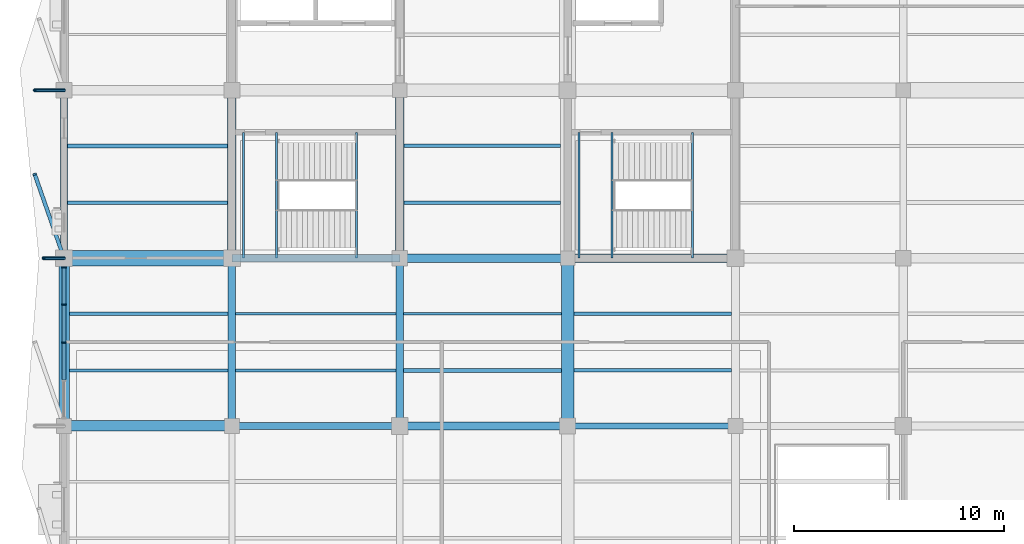
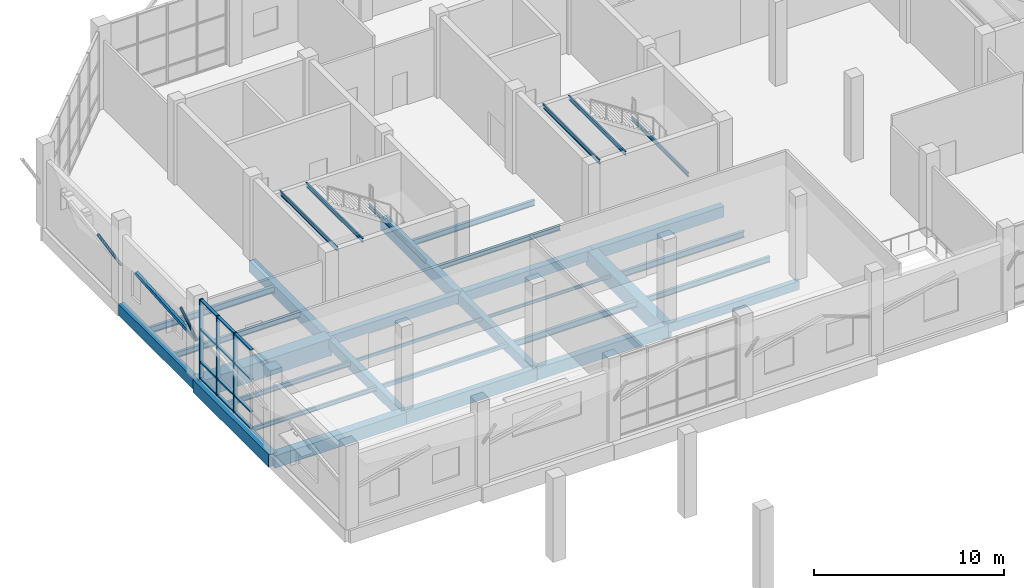
# One storey, part 33 of 122: 33 beams, 18 members, 1 element without a shape of its own.
"""IFC4 building model written with IfcOpenShell, lengths in metres."""

import ifcopenshell
import ifcopenshell.guid

model = None  # the IFC model being written
_history = None  # IfcOwnerHistory: only IFC2X3 demands one
_inside = {}  # id of a spatial element -> (the spatial element, [elements in it])
_under = {}  # id of a project, library or spatial element -> (it, [spatial elements below it])
_declared = {}  # id of a project -> (the project, [libraries it declares])
_typed = {}  # id of a type object -> (the type object, [elements of that type])
_made_of = {}  # id of a material, layer set ... -> (it, [elements and type objects made of it])


def new_model(schema):
    """Start an empty IFC model of exactly this schema.

    Asked for "IFC4X3", IfcOpenShell would pick the latest addendum, in which some entities
    have other attributes; the version numbers below select the first issue.
    IFC2X3 requires an IfcOwnerHistory on every rooted entity: one is made here for all.
    """
    global model, _history
    if schema == "IFC4X3":
        model = ifcopenshell.file(schema_version=(4, 3, 0, 0))
    else:
        model = ifcopenshell.file(schema=schema)
    _inside.clear()
    _under.clear()
    _declared.clear()
    _typed.clear()
    _made_of.clear()
    _history = None
    if model.schema == "IFC2X3":
        org = make("IfcOrganization", Name="unknown")
        user = make(
            "IfcPersonAndOrganization",
            ThePerson=make("IfcPerson", FamilyName="unknown"),
            TheOrganization=org,
        )
        app = make(
            "IfcApplication",
            ApplicationDeveloper=org,
            Version="unknown",
            ApplicationFullName="unknown",
            ApplicationIdentifier="unknown",
        )
        _history = make(
            "IfcOwnerHistory",
            OwningUser=user,
            OwningApplication=app,
            ChangeAction="ADDED",
            CreationDate=0,
        )
    return model


def make(cls, **values):
    """One entity of the class cls with the attributes given. An attribute that is None is left unset."""
    return model.create_entity(
        cls, **{name: value for name, value in values.items() if value is not None}
    )


def rooted(cls, **values):
    """An entity with a GlobalId (a new one), such as an element, a storey or a relation."""
    return make(cls, GlobalId=ifcopenshell.guid.new(), OwnerHistory=_history, **values)


def si_unit(unit_type, name, prefix=None):
    """IfcSIUnit, for example si_unit("LENGTHUNIT", "METRE", prefix="MILLI")."""
    return make("IfcSIUnit", UnitType=unit_type, Prefix=prefix, Name=name)


def assignment(units):
    """IfcUnitAssignment: the units of a project."""
    return None if units is None else make("IfcUnitAssignment", Units=units)


def point(xyz):
    """IfcCartesianPoint."""
    return None if xyz is None else make("IfcCartesianPoint", Coordinates=xyz)


def direction(xyz):
    """IfcDirection."""
    return None if xyz is None else make("IfcDirection", DirectionRatios=xyz)


def frame(location, z_axis=None, x_axis=None):
    """IfcAxis2Placement3D, a coordinate frame: its origin and axes. An axis left out is left unset."""
    return make(
        "IfcAxis2Placement3D",
        Location=point(location),
        Axis=direction(z_axis),
        RefDirection=direction(x_axis),
    )


def frame_2d(location, x_axis=None):
    """IfcAxis2Placement2D, a coordinate frame in the plane: its origin and x axis."""
    return make(
        "IfcAxis2Placement2D", Location=point(location), RefDirection=direction(x_axis)
    )


def origin():
    """The frame at (0, 0, 0) with its axes left unset."""
    return frame((0.0, 0.0, 0.0))


def origin_2d():
    """The frame at (0, 0) in the plane with its x axis left unset."""
    return frame_2d((0.0, 0.0))


def place(relative_to, where):
    """IfcLocalPlacement: puts the frame where relative to a parent placement (None: the world)."""
    return make(
        "IfcLocalPlacement", PlacementRelTo=relative_to, RelativePlacement=where
    )


def context(
    kind, dimensions, precision=None, world=None, true_north=None, identifier=None
):
    """IfcGeometricRepresentationContext, for example the 3D "Model" context."""
    return make(
        "IfcGeometricRepresentationContext",
        ContextIdentifier=identifier,
        ContextType=kind,
        CoordinateSpaceDimension=dimensions,
        Precision=precision,
        WorldCoordinateSystem=world,
        TrueNorth=true_north,
    )


def subcontext(parent, identifier, kind, view, scale=None):
    """IfcGeometricRepresentationSubContext, for example "Body" below "Model"."""
    return make(
        "IfcGeometricRepresentationSubContext",
        ContextIdentifier=identifier,
        ContextType=kind,
        ParentContext=parent,
        TargetScale=scale,
        TargetView=view,
    )


def project(units=None, contexts=None):
    """IfcProject with its units and contexts."""
    return rooted(
        "IfcProject",
        Name="project",
        RepresentationContexts=contexts,
        UnitsInContext=assignment(units),
    )


def spatial(cls, under=None, at=None, **own):
    """A site, building, storey or space (cls), placed at a placement, below another one or the project."""
    s = rooted(cls, ObjectPlacement=at, **own)
    if under is not None:
        _under.setdefault(under.id(), (under, []))[1].append(s)
    return s


def profile(cls, at=None, kind="AREA", **sizes):
    """A parametric profile (cls). Its sizes go by their IFC names, for example OverallWidth=200.0."""
    return make(cls, ProfileType=kind, Position=at, **sizes)


def rectangle(**sizes):
    """IfcRectangleProfileDef."""
    return profile("IfcRectangleProfileDef", **sizes)


def hollow_rectangle(**sizes):
    """IfcRectangleHollowProfileDef."""
    return profile("IfcRectangleHollowProfileDef", **sizes)


def hollow_circle(**sizes):
    """IfcCircleHollowProfileDef."""
    return profile("IfcCircleHollowProfileDef", **sizes)


def i_section(**sizes):
    """IfcIShapeProfileDef."""
    return profile("IfcIShapeProfileDef", **sizes)


def extrude(swept, where, along, depth):
    """IfcExtrudedAreaSolid: the profile swept, set in the frame where, extruded along a direction by depth."""
    return make(
        "IfcExtrudedAreaSolid",
        SweptArea=swept,
        Position=where,
        ExtrudedDirection=direction(along),
        Depth=depth,
    )


def shape(context_of_items, identifier, shape_type, items):
    """IfcShapeRepresentation: the items that make up one representation, for example the "Body"."""
    return make(
        "IfcShapeRepresentation",
        ContextOfItems=context_of_items,
        RepresentationIdentifier=identifier,
        RepresentationType=shape_type,
        Items=items,
    )


def material(Name=None, Category=None):
    """IfcMaterial."""
    return make("IfcMaterial", Name=Name, Category=Category)


def material_profile(
    of_material, cross_section, Name=None, Category=None, Priority=None
):
    """IfcMaterialProfile: a cross section and its material."""
    return make(
        "IfcMaterialProfile",
        Name=Name,
        Material=of_material,
        Profile=cross_section,
        Priority=Priority,
        Category=Category,
    )


def profile_set(profiles, Name=None, composite=None):
    """IfcMaterialProfileSet."""
    return make(
        "IfcMaterialProfileSet",
        Name=Name,
        MaterialProfiles=profiles,
        CompositeProfile=composite,
    )


def made_of(thing, what):
    """Note that an element or type object is made of a material, layer set ...; save() writes the relation."""
    if what is not None:
        _made_of.setdefault(what.id(), (what, []))[1].append(thing)
    return thing


def type_object(cls, material=None, **own):
    """A type object (cls), such as IfcWallType, which elements share."""
    return made_of(rooted(cls, **own), material)


def element(
    cls,
    number,
    at=None,
    inside=None,
    cuts=None,
    type_object=None,
    material=None,
    context=None,
    identifier="Body",
    shape_type=None,
    held_by="IfcProductDefinitionShape",
    body=None,
    shapes=None,
    **own,
):
    """One element of the class cls, such as IfcWall. Its Tag is "e" and its number.

    at: its placement. inside: the storey or other place that contains it. cuts: it is an
    opening in that element (IfcRelVoidsElement). A single representation is given by context,
    identifier, shape_type and body (its items); several are given by shapes. held_by: the class
    of the entity that holds the representations. save() writes the other relations.
    """
    e = rooted(cls, Tag="e%d" % number, ObjectPlacement=at, **own)
    if body is not None:
        shapes = [shape(context, identifier, shape_type, body)]
    if shapes is not None:
        e.Representation = make(held_by, Representations=shapes)
    if inside is not None:
        _inside.setdefault(inside.id(), (inside, []))[1].append(e)
    if cuts is not None:
        rooted(
            "IfcRelVoidsElement", RelatingBuildingElement=cuts, RelatedOpeningElement=e
        )
    if type_object is not None:
        _typed.setdefault(type_object.id(), (type_object, []))[1].append(e)
    return made_of(e, material)


def aggregate(whole, parts):
    """IfcRelAggregates: a whole, such as a stair, and the parts it consists of."""
    return rooted("IfcRelAggregates", RelatingObject=whole, RelatedObjects=parts)


def save(model, path):
    """Write the relations noted so far, then the file.

    IfcRelAggregates (storeys below a building ...), IfcRelContainedInSpatialStructure (elements
    in a storey), IfcRelDefinesByType, IfcRelAssociatesMaterial and IfcRelDeclares: one each for
    every whole, place, type object, material and project.
    """
    for whole, parts in _under.values():
        aggregate(whole, parts)
    for where, things in _inside.values():
        rooted(
            "IfcRelContainedInSpatialStructure",
            RelatedElements=things,
            RelatingStructure=where,
        )
    for kind, things in _typed.values():
        rooted("IfcRelDefinesByType", RelatedObjects=things, RelatingType=kind)
    for what, things in _made_of.values():
        rooted("IfcRelAssociatesMaterial", RelatedObjects=things, RelatingMaterial=what)
    for by, libraries in _declared.values():
        rooted("IfcRelDeclares", RelatingContext=by, RelatedDefinitions=libraries)
    model.write(path)


model = new_model("IFC4")

# Units and contexts
model_context = context("Model", 3, precision=1e-05, world=origin(), true_north=direction((0.0, 1.0)))
body_context = subcontext(model_context, "Body", "Model", "MODEL_VIEW")
ifc_project = project(units=[si_unit("LENGTHUNIT", "METRE"), si_unit("AREAUNIT", "SQUARE_METRE"), si_unit("VOLUMEUNIT", "CUBIC_METRE"), si_unit("PLANEANGLEUNIT", "RADIAN"), si_unit("MASSUNIT", "GRAM", prefix="KILO")], contexts=[model_context])

# Site, building, storey
site_placement = place(None, origin())
site = spatial("IfcSite", under=ifc_project, at=site_placement, CompositionType="ELEMENT")
building_placement = place(site_placement, origin())
building = spatial("IfcBuilding", under=site, at=building_placement, Name="Tenunan Teduh Sports Hall", CompositionType="ELEMENT")
storey_placement = place(building_placement, frame((0.0, 0.0, 5.39990234375)))
storey = spatial("IfcBuildingStorey", under=building, at=storey_placement, Name="L01", CompositionType="ELEMENT", Elevation=5.39990234375)

# Beams
ifc_material_1 = material(Name="Concrete C40/50", Category="concrete")
ifc_material_profile_1 = material_profile(ifc_material_1, rectangle(XDim=0.300048828125, YDim=0.550048828125, at=origin_2d()), Name="RCB 300x550")
ifc_profile_set_1 = profile_set([ifc_material_profile_1], Name="Concrete C40/50")
beam_type_1 = type_object("IfcBeamType", Name="BM-RC-300x550", PredefinedType="BEAM", material=ifc_profile_set_1)
beam_1_placement = place(storey_placement, frame((30.0, 86.0, -0.534912109375), z_axis=(1.0, 0.0, 0.0), x_axis=(0.0, 1.0, 0.0)))
element("IfcBeam", 1, at=beam_1_placement, inside=storey, type_object=beam_type_1, Name="BM-B-02-L01-1108", PredefinedType="BEAM", context=body_context, shape_type="SweptSolid", body=[
    extrude(rectangle(XDim=0.300048828125, YDim=0.550048828125, at=origin_2d()), origin(), (0.0, 0.0, 1.0), 8.0),
])
ifc_material_2 = material(Name="Concrete C40/50", Category="concrete")
ifc_material_profile_2 = material_profile(ifc_material_2, rectangle(XDim=0.35009765625, YDim=0.60009765625, at=origin_2d()), Name="RCB 350x600")
ifc_profile_set_2 = profile_set([ifc_material_profile_2], Name="Concrete C40/50")
beam_type_2 = type_object("IfcBeamType", Name="BM-RC-350x600", PredefinedType="BEAM", material=ifc_profile_set_2)
beam_2_placement = place(storey_placement, frame((14.0, 94.0, -0.559814453125), z_axis=(1.0, 0.0, 0.0), x_axis=(0.0, 1.0, 0.0)))
element("IfcBeam", 2, at=beam_2_placement, inside=storey, type_object=beam_type_2, Name="BM-B-04-L01-1122", PredefinedType="BEAM", context=body_context, shape_type="SweptSolid", body=[
    extrude(rectangle(XDim=0.35009765625, YDim=0.60009765625, at=origin_2d()), origin(), (0.0, 0.0, 1.0), 8.0),
])
ifc_material_3 = material(Name="Concrete C40/50", Category="concrete")
ifc_material_profile_3 = material_profile(ifc_material_3, rectangle(XDim=0.35009765625, YDim=0.64990234375, at=origin_2d()), Name="RCB 350x650")
ifc_profile_set_3 = profile_set([ifc_material_profile_3], Name="Concrete C40/50")
beam_type_3 = type_object("IfcBeamType", Name="BM-RC-350x650", PredefinedType="BEAM", material=ifc_profile_set_3)
beam_3_placement = place(storey_placement, frame((14.0, 86.0, -0.5849609375), z_axis=(0.0, 1.0, 0.0), x_axis=(-1.0, 0.0, 0.0)))
element("IfcBeam", 3, at=beam_3_placement, inside=storey, type_object=beam_type_3, Name="BM-B-05-L01-1194", PredefinedType="BEAM", context=body_context, shape_type="SweptSolid", body=[
    extrude(rectangle(XDim=0.35009765625, YDim=0.64990234375, at=origin_2d()), origin(), (0.0, 0.0, 1.0), 8.0),
])
ifc_material_4 = material(Name="Concrete C40/50", Category="concrete")
ifc_material_profile_4 = material_profile(ifc_material_4, rectangle(XDim=0.35009765625, YDim=0.699951171875, at=origin_2d()), Name="RCB 350x700")
ifc_profile_set_4 = profile_set([ifc_material_profile_4], Name="Concrete C40/50")
beam_type_4 = type_object("IfcBeamType", Name="BM-RC-350x700", PredefinedType="BEAM", material=ifc_profile_set_4)
beam_4_placement = place(storey_placement, frame((22.0, 86.0, -0.60986328125), z_axis=(0.0, 1.0, 0.0), x_axis=(-1.0, 0.0, 0.0)))
element("IfcBeam", 4, at=beam_4_placement, inside=storey, type_object=beam_type_4, Name="BM-B-06-L01-1199", PredefinedType="BEAM", context=body_context, shape_type="SweptSolid", body=[
    extrude(rectangle(XDim=0.35009765625, YDim=0.699951171875, at=origin_2d()), origin(), (0.0, 0.0, 1.0), 8.0),
])
ifc_material_5 = material(Name="Concrete C40/50", Category="concrete")
ifc_material_profile_5 = material_profile(ifc_material_5, rectangle(XDim=0.39990234375, YDim=0.64990234375, at=origin_2d()), Name="RCB 400x650")
ifc_profile_set_5 = profile_set([ifc_material_profile_5], Name="Concrete C40/50")
beam_type_5 = type_object("IfcBeamType", Name="BM-RC-400x650", PredefinedType="BEAM", material=ifc_profile_set_5)
beam_5_placement = place(storey_placement, frame((22.0, 94.0, -0.5849609375), z_axis=(1.0, 0.0, 0.0), x_axis=(0.0, 1.0, 0.0)))
element("IfcBeam", 5, at=beam_5_placement, inside=storey, type_object=beam_type_5, Name="BM-B-07-L01-1123", PredefinedType="BEAM", context=body_context, shape_type="SweptSolid", body=[
    extrude(rectangle(XDim=0.39990234375, YDim=0.64990234375, at=origin_2d()), origin(), (0.0, 0.0, 1.0), 8.0),
])
ifc_material_6 = material(Name="Concrete C40/50", Category="concrete")
ifc_material_profile_6 = material_profile(ifc_material_6, rectangle(XDim=0.39990234375, YDim=0.699951171875, at=origin_2d()), Name="RCB 400x700")
ifc_profile_set_6 = profile_set([ifc_material_profile_6], Name="Concrete C40/50")
beam_type_6 = type_object("IfcBeamType", Name="BM-RC-400x700", PredefinedType="BEAM", material=ifc_profile_set_6)
beam_6_placement = place(storey_placement, frame((30.0, 94.0, -0.60986328125), z_axis=(1.0, 0.0, 0.0), x_axis=(0.0, 1.0, 0.0)))
element("IfcBeam", 6, at=beam_6_placement, inside=storey, type_object=beam_type_6, Name="BM-B-08-L01-1124", PredefinedType="BEAM", context=body_context, shape_type="SweptSolid", body=[
    extrude(rectangle(XDim=0.39990234375, YDim=0.699951171875, at=origin_2d()), origin(), (0.0, 0.0, 1.0), 8.0),
])
ifc_material_7 = material(Name="Concrete C40/50", Category="concrete")
ifc_material_profile_7 = material_profile(ifc_material_7, rectangle(XDim=0.39990234375, YDim=0.75, at=origin_2d()), Name="RCB 400x750")
ifc_profile_set_7 = profile_set([ifc_material_profile_7], Name="Concrete C40/50")
beam_type_7 = type_object("IfcBeamType", Name="BM-RC-400x750", PredefinedType="BEAM", material=ifc_profile_set_7)
beam_7_placement = place(storey_placement, frame((14.0, 94.0, -0.635009765625), z_axis=(0.0, 1.0, 0.0), x_axis=(-1.0, 0.0, 0.0)))
element("IfcBeam", 7, at=beam_7_placement, inside=storey, type_object=beam_type_7, Name="BM-B-09-L01-1195", PredefinedType="BEAM", context=body_context, shape_type="SweptSolid", body=[
    extrude(rectangle(XDim=0.39990234375, YDim=0.75, at=origin_2d()), origin(), (0.0, 0.0, 1.0), 8.0),
])
ifc_material_8 = material(Name="Concrete C40/50", Category="concrete")
ifc_material_profile_8 = material_profile(ifc_material_8, rectangle(XDim=0.39990234375, YDim=0.800048828125, at=origin_2d()), Name="RCB 400x800")
ifc_profile_set_8 = profile_set([ifc_material_profile_8], Name="Concrete C40/50")
beam_type_8 = type_object("IfcBeamType", Name="BM-RC-400x800", PredefinedType="BEAM", material=ifc_profile_set_8)
beam_8_placement = place(storey_placement, frame((22.0, 94.0, -0.659912109375), z_axis=(0.0, 1.0, 0.0), x_axis=(-1.0, 0.0, 0.0)))
element("IfcBeam", 8, at=beam_8_placement, inside=storey, type_object=beam_type_8, Name="BM-B-10-L01-1200", PredefinedType="BEAM", context=body_context, shape_type="SweptSolid", body=[
    extrude(rectangle(XDim=0.39990234375, YDim=0.800048828125, at=origin_2d()), origin(), (0.0, 0.0, 1.0), 8.0),
])
ifc_material_9 = material(Name="Concrete C40/50", Category="concrete")
ifc_material_profile_9 = material_profile(ifc_material_9, rectangle(XDim=0.5, YDim=0.800048828125, at=origin_2d()), Name="RCB 500x800")
ifc_profile_set_9 = profile_set([ifc_material_profile_9], Name="Concrete C40/50")
beam_type_9 = type_object("IfcBeamType", Name="BM-RC-500x800", PredefinedType="BEAM", material=ifc_profile_set_9)
for number, where, z_axis, x_axis, name in (
    (9, (6.0, 86.0, -0.659912109375), (1.0, 0.0, 0.0), (0.0, 1.0, 0.0), "BM-B-14-L01-1105"),
    (10, (6.0, 86.0, -0.659912109375), (0.0, 1.0, 0.0), (-1.0, 0.0, 0.0), "BM-B-14-L01-1190"),
):
    element("IfcBeam", number, at=place(storey_placement, frame(where, z_axis=z_axis, x_axis=x_axis)), inside=storey, type_object=beam_type_9, Name=name, PredefinedType="BEAM", context=body_context, shape_type="SweptSolid", body=[
        extrude(rectangle(XDim=0.5, YDim=0.800048828125, at=origin_2d()), origin(), (0.0, 0.0, 1.0), 8.0),
    ])
ifc_material_10 = material(Name="Concrete C40/50", Category="concrete")
ifc_material_profile_10 = material_profile(ifc_material_10, rectangle(XDim=0.60009765625, YDim=1.0, at=origin_2d()), Name="RCB 600x1000")
ifc_profile_set_10 = profile_set([ifc_material_profile_10], Name="Concrete C40/50")
beam_type_10 = type_object("IfcBeamType", Name="BM-RC-600x1000", PredefinedType="BEAM", material=ifc_profile_set_10)
beam_9_placement = place(storey_placement, frame((30.0, 86.0, -0.760009765625), z_axis=(0.0, 1.0, 0.0), x_axis=(-1.0, 0.0, 0.0)))
element("IfcBeam", 11, at=beam_9_placement, inside=storey, type_object=beam_type_10, Name="BM-B-18-L01-1204", PredefinedType="BEAM", context=body_context, shape_type="SweptSolid", body=[
    extrude(rectangle(XDim=0.60009765625, YDim=1.0, at=origin_2d()), origin(), (0.0, 0.0, 1.0), 8.0),
])
ifc_material_11 = material(Name="Concrete C40/50", Category="concrete")
ifc_material_profile_11 = material_profile(ifc_material_11, rectangle(XDim=0.75, YDim=1.10009765625, at=origin_2d()), Name="RCB 750x1100")
ifc_profile_set_11 = profile_set([ifc_material_profile_11], Name="Concrete C40/50")
beam_type_11 = type_object("IfcBeamType", Name="BM-RC-750x1100", PredefinedType="SPANDREL", material=ifc_profile_set_11)
beam_10_placement = place(storey_placement, frame((6.0, 94.0, -0.809814453125), z_axis=(1.0, 0.0, 0.0), x_axis=(0.0, 1.0, 0.0)))
element("IfcBeam", 12, at=beam_10_placement, inside=storey, type_object=beam_type_11, Name="BM-B-20-L01-1121", PredefinedType="SPANDREL", context=body_context, shape_type="SweptSolid", body=[
    extrude(rectangle(XDim=0.75, YDim=1.10009765625, at=origin_2d()), origin(), (0.0, 0.0, 1.0), 8.0),
])
ifc_material_12 = material(Name="Concrete C40/50", Category="concrete")
ifc_material_profile_12 = material_profile(ifc_material_12, rectangle(XDim=0.35009765625, YDim=0.85009765625, at=origin_2d()), Name="SPB 350x850")
ifc_profile_set_12 = profile_set([ifc_material_profile_12], Name="Concrete C40/50")
beam_type_12 = type_object("IfcBeamType", Name="BM-SP-350x850", PredefinedType="SPANDREL", material=ifc_profile_set_12)
beam_11_placement = place(storey_placement, frame((14.0, 86.0, -0.684814453125), z_axis=(1.0, 0.0, 0.0), x_axis=(0.0, 1.0, 0.0)))
element("IfcBeam", 13, at=beam_11_placement, inside=storey, type_object=beam_type_12, Name="BM-SP-02-L01-1106", PredefinedType="SPANDREL", context=body_context, shape_type="SweptSolid", body=[
    extrude(rectangle(XDim=0.35009765625, YDim=0.85009765625, at=origin_2d()), origin(), (0.0, 0.0, 1.0), 8.0),
])
ifc_material_13 = material(Name="Concrete C40/50", Category="concrete")
ifc_material_profile_13 = material_profile(ifc_material_13, rectangle(XDim=0.35009765625, YDim=0.719970703125, at=origin_2d()), Name="TB 350x720")
ifc_profile_set_13 = profile_set([ifc_material_profile_13], Name="Concrete C40/50")
beam_type_13 = type_object("IfcBeamType", Name="BM-TB-350x720", PredefinedType="T_BEAM", material=ifc_profile_set_13)
beam_12_placement = place(storey_placement, frame((6.0, 94.0, -0.619873046875), z_axis=(0.0, 1.0, 0.0), x_axis=(-1.0, 0.0, 0.0)))
element("IfcBeam", 14, at=beam_12_placement, inside=storey, type_object=beam_type_13, Name="BM-TB-01-L01-1191", PredefinedType="T_BEAM", context=body_context, shape_type="SweptSolid", body=[
    extrude(rectangle(XDim=0.35009765625, YDim=0.719970703125, at=origin_2d()), origin(), (0.0, 0.0, 1.0), 8.0),
])
ifc_material_14 = material(Name="Concrete C40/50", Category="concrete")
ifc_material_profile_14 = material_profile(ifc_material_14, rectangle(XDim=0.39990234375, YDim=0.780029296875, at=origin_2d()), Name="TB 400x780")
ifc_profile_set_14 = profile_set([ifc_material_profile_14], Name="Concrete C40/50")
beam_type_14 = type_object("IfcBeamType", Name="BM-TB-400x780", PredefinedType="T_BEAM", material=ifc_profile_set_14)
beam_13_placement = place(storey_placement, frame((22.0, 86.0, -0.64990234375), z_axis=(1.0, 0.0, 0.0), x_axis=(0.0, 1.0, 0.0)))
element("IfcBeam", 15, at=beam_13_placement, inside=storey, type_object=beam_type_14, Name="BM-TB-02-L01-1107", PredefinedType="T_BEAM", context=body_context, shape_type="SweptSolid", body=[
    extrude(rectangle(XDim=0.39990234375, YDim=0.780029296875, at=origin_2d()), origin(), (0.0, 0.0, 1.0), 8.0),
])

# Curtain wall, members
ifc_material_15 = material(Name="Anodised aluminium", Category="aluminium")
curtain_wall_type = type_object("IfcCurtainWallType", Name="CW-UNIT-1", PredefinedType="NOTDEFINED", material=ifc_material_15)
curtain_wall_placement = place(storey_placement, origin())
curtain_wall = element("IfcCurtainWall", 16, at=curtain_wall_placement, inside=storey, type_object=curtain_wall_type, Name="CW-CWM-220-L01-209", PredefinedType="NOTDEFINED")
ifc_material_16 = material(Name="Anodised aluminium", Category="aluminium")
ifc_material_profile_15 = material_profile(ifc_material_16, rectangle(XDim=0.074951171875, YDim=0.219970703125, at=origin_2d()), Name="CWM 75x220")
ifc_profile_set_15 = profile_set([ifc_material_profile_15], Name="Anodised aluminium")
member_type_1 = type_object("IfcMemberType", Name="CWM-220", PredefinedType="MULLION", material=ifc_profile_set_15)
member_1_placement = place(storey_placement, frame((6.0, 89.97509765625, 0.0), z_axis=(0.0, 0.0, 1.0), x_axis=(0.0, 1.0, 0.0)))
member_1 = element("IfcMember", 17, at=member_1_placement, type_object=member_type_1, Name="CW-01 mullion 3", PredefinedType="MULLION", context=body_context, shape_type="SweptSolid", body=[
    extrude(rectangle(XDim=0.074951171875, YDim=0.219970703125, at=origin_2d()), origin(), (0.0, 0.0, 1.0), 5.1201171875),
])
member_2_placement = place(storey_placement, frame((6.0, 91.78759765625, 0.0), z_axis=(0.0, 0.0, 1.0), x_axis=(0.0, 1.0, 0.0)))
member_2 = element("IfcMember", 18, at=member_2_placement, type_object=member_type_1, Name="CW-01 mullion 4", PredefinedType="MULLION", context=body_context, shape_type="SweptSolid", body=[
    extrude(rectangle(XDim=0.074951171875, YDim=0.219970703125, at=origin_2d()), origin(), (0.0, 0.0, 1.0), 5.1201171875),
])
member_3_placement = place(storey_placement, frame((6.0, 93.5625, 0.0), z_axis=(0.0, 0.0, 1.0), x_axis=(0.0, 1.0, 0.0)))
member_3 = element("IfcMember", 19, at=member_3_placement, type_object=member_type_1, Name="CW-01 mullion 5", PredefinedType="MULLION", context=body_context, shape_type="SweptSolid", body=[
    extrude(rectangle(XDim=0.074951171875, YDim=0.219970703125, at=origin_2d()), origin(), (0.0, 0.0, 1.0), 5.1201171875),
])
ifc_material_17 = material(Name="Anodised aluminium", Category="aluminium")
ifc_material_profile_16 = material_profile(ifc_material_17, rectangle(XDim=0.074951171875, YDim=0.179931640625, at=origin_2d()), Name="CWT 75x180")
ifc_profile_set_16 = profile_set([ifc_material_profile_16], Name="Anodised aluminium")
member_type_2 = type_object("IfcMemberType", Name="CWT-180", PredefinedType="USERDEFINED", material=ifc_profile_set_16)
member_4_placement = place(storey_placement, frame((6.0, 88.199951171875, 0.03759765625), z_axis=(0.0, 1.0, 0.0), x_axis=(0.0, 0.0, 1.0)))
member_4 = element("IfcMember", 20, at=member_4_placement, type_object=member_type_2, Name="CW-01 transom 2.1", ObjectType="TRANSOM", PredefinedType="USERDEFINED", context=body_context, shape_type="SweptSolid", body=[
    extrude(rectangle(XDim=0.074951171875, YDim=0.179931640625, at=origin_2d()), origin(), (0.0, 0.0, 1.0), 1.737548828125),
])
member_5_placement = place(storey_placement, frame((6.0, 88.199951171875, 1.10009765625), z_axis=(0.0, 1.0, 0.0), x_axis=(0.0, 0.0, 1.0)))
member_5 = element("IfcMember", 21, at=member_5_placement, type_object=member_type_2, Name="CW-01 transom 2.2", ObjectType="TRANSOM", PredefinedType="USERDEFINED", context=body_context, shape_type="SweptSolid", body=[
    extrude(rectangle(XDim=0.074951171875, YDim=0.179931640625, at=origin_2d()), origin(), (0.0, 0.0, 1.0), 1.737548828125),
])
member_6_placement = place(storey_placement, frame((6.0, 88.199951171875, 3.2001953125), z_axis=(0.0, 1.0, 0.0), x_axis=(0.0, 0.0, 1.0)))
member_6 = element("IfcMember", 22, at=member_6_placement, type_object=member_type_2, Name="CW-01 transom 2.3", ObjectType="TRANSOM", PredefinedType="USERDEFINED", context=body_context, shape_type="SweptSolid", body=[
    extrude(rectangle(XDim=0.074951171875, YDim=0.179931640625, at=origin_2d()), origin(), (0.0, 0.0, 1.0), 1.737548828125),
])
member_7_placement = place(storey_placement, frame((6.0, 88.199951171875, 5.08251953125), z_axis=(0.0, 1.0, 0.0), x_axis=(0.0, 0.0, 1.0)))
member_7 = element("IfcMember", 23, at=member_7_placement, type_object=member_type_2, Name="CW-01 transom 2.4", ObjectType="TRANSOM", PredefinedType="USERDEFINED", context=body_context, shape_type="SweptSolid", body=[
    extrude(rectangle(XDim=0.074951171875, YDim=0.179931640625, at=origin_2d()), origin(), (0.0, 0.0, 1.0), 1.737548828125),
])
member_8_placement = place(storey_placement, frame((6.0, 90.012451171875, 0.03759765625), z_axis=(0.0, 1.0, 0.0), x_axis=(0.0, 0.0, 1.0)))
member_8 = element("IfcMember", 24, at=member_8_placement, type_object=member_type_2, Name="CW-01 transom 3.1", ObjectType="TRANSOM", PredefinedType="USERDEFINED", context=body_context, shape_type="SweptSolid", body=[
    extrude(rectangle(XDim=0.074951171875, YDim=0.179931640625, at=origin_2d()), origin(), (0.0, 0.0, 1.0), 1.737548828125),
])
member_9_placement = place(storey_placement, frame((6.0, 90.012451171875, 1.10009765625), z_axis=(0.0, 1.0, 0.0), x_axis=(0.0, 0.0, 1.0)))
member_9 = element("IfcMember", 25, at=member_9_placement, type_object=member_type_2, Name="CW-01 transom 3.2", ObjectType="TRANSOM", PredefinedType="USERDEFINED", context=body_context, shape_type="SweptSolid", body=[
    extrude(rectangle(XDim=0.074951171875, YDim=0.179931640625, at=origin_2d()), origin(), (0.0, 0.0, 1.0), 1.737548828125),
])
member_10_placement = place(storey_placement, frame((6.0, 90.012451171875, 3.2001953125), z_axis=(0.0, 1.0, 0.0), x_axis=(0.0, 0.0, 1.0)))
member_10 = element("IfcMember", 26, at=member_10_placement, type_object=member_type_2, Name="CW-01 transom 3.3", ObjectType="TRANSOM", PredefinedType="USERDEFINED", context=body_context, shape_type="SweptSolid", body=[
    extrude(rectangle(XDim=0.074951171875, YDim=0.179931640625, at=origin_2d()), origin(), (0.0, 0.0, 1.0), 1.737548828125),
])
member_11_placement = place(storey_placement, frame((6.0, 90.012451171875, 5.08251953125), z_axis=(0.0, 1.0, 0.0), x_axis=(0.0, 0.0, 1.0)))
member_11 = element("IfcMember", 27, at=member_11_placement, type_object=member_type_2, Name="CW-01 transom 3.4", ObjectType="TRANSOM", PredefinedType="USERDEFINED", context=body_context, shape_type="SweptSolid", body=[
    extrude(rectangle(XDim=0.074951171875, YDim=0.179931640625, at=origin_2d()), origin(), (0.0, 0.0, 1.0), 1.737548828125),
])
member_12_placement = place(storey_placement, frame((6.0, 91.824951171875, 0.03759765625), z_axis=(0.0, 1.0, 0.0), x_axis=(0.0, 0.0, 1.0)))
member_12 = element("IfcMember", 28, at=member_12_placement, type_object=member_type_2, Name="CW-01 transom 4.1", ObjectType="TRANSOM", PredefinedType="USERDEFINED", context=body_context, shape_type="SweptSolid", body=[
    extrude(rectangle(XDim=0.074951171875, YDim=0.179931640625, at=origin_2d()), origin(), (0.0, 0.0, 1.0), 1.699951171875),
])
member_13_placement = place(storey_placement, frame((6.0, 91.824951171875, 1.10009765625), z_axis=(0.0, 1.0, 0.0), x_axis=(0.0, 0.0, 1.0)))
member_13 = element("IfcMember", 29, at=member_13_placement, type_object=member_type_2, Name="CW-01 transom 4.2", ObjectType="TRANSOM", PredefinedType="USERDEFINED", context=body_context, shape_type="SweptSolid", body=[
    extrude(rectangle(XDim=0.074951171875, YDim=0.179931640625, at=origin_2d()), origin(), (0.0, 0.0, 1.0), 1.699951171875),
])
member_14_placement = place(storey_placement, frame((6.0, 91.824951171875, 3.2001953125), z_axis=(0.0, 1.0, 0.0), x_axis=(0.0, 0.0, 1.0)))
member_14 = element("IfcMember", 30, at=member_14_placement, type_object=member_type_2, Name="CW-01 transom 4.3", ObjectType="TRANSOM", PredefinedType="USERDEFINED", context=body_context, shape_type="SweptSolid", body=[
    extrude(rectangle(XDim=0.074951171875, YDim=0.179931640625, at=origin_2d()), origin(), (0.0, 0.0, 1.0), 1.699951171875),
])
member_15_placement = place(storey_placement, frame((6.0, 91.824951171875, 5.08251953125), z_axis=(0.0, 1.0, 0.0), x_axis=(0.0, 0.0, 1.0)))
member_15 = element("IfcMember", 31, at=member_15_placement, type_object=member_type_2, Name="CW-01 transom 4.4", ObjectType="TRANSOM", PredefinedType="USERDEFINED", context=body_context, shape_type="SweptSolid", body=[
    extrude(rectangle(XDim=0.074951171875, YDim=0.179931640625, at=origin_2d()), origin(), (0.0, 0.0, 1.0), 1.699951171875),
])
aggregate(curtain_wall, [member_1, member_2, member_3, member_4, member_5, member_6, member_7, member_8, member_9, member_10, member_11, member_12, member_13, member_14, member_15])

# Beams
ifc_material_18 = material(Name="Steel S355", Category="steel")
ifc_material_profile_17 = material_profile(ifc_material_18, i_section(OverallWidth=0.10009765625, OverallDepth=0.199951171875, WebThickness=0.005615234375, FlangeThickness=0.008544921875, FilletRadius=0.011962890625, at=origin_2d()), Name="IPE 200")
ifc_profile_set_17 = profile_set([ifc_material_profile_17], Name="Steel S355")
beam_type_15 = type_object("IfcBeamType", Name="JST-IPE200", PredefinedType="JOIST", material=ifc_profile_set_17)
beam_14_placement = place(storey_placement, frame((22.175048828125, 91.35009765625, -0.35986328125), z_axis=(1.0, 0.0, 0.0), x_axis=(0.0, 1.0, 0.0)))
element("IfcBeam", 32, at=beam_14_placement, inside=storey, type_object=beam_type_15, Name="BM-J-01-L01-1325", PredefinedType="JOIST", context=body_context, shape_type="SweptSolid", body=[
    extrude(i_section(OverallWidth=0.10009765625, OverallDepth=0.199951171875, WebThickness=0.005615234375, FlangeThickness=0.008544921875, FilletRadius=0.011962890625, at=origin_2d()), origin(), (0.0, 0.0, 1.0), 7.52490234375),
])
ifc_material_19 = material(Name="Steel S355", Category="steel")
ifc_material_profile_18 = material_profile(ifc_material_19, i_section(OverallWidth=0.135009765625, OverallDepth=0.27001953125, WebThickness=0.006591796875, FlangeThickness=0.01025390625, FilletRadius=0.014892578125, at=origin_2d()), Name="IPE 270")
ifc_profile_set_18 = profile_set([ifc_material_profile_18], Name="Steel S355")
beam_type_16 = type_object("IfcBeamType", Name="JST-IPE270", PredefinedType="JOIST", material=ifc_profile_set_18)
beam_15_placement = place(storey_placement, frame((6.25, 88.64990234375, -0.39501953125), z_axis=(1.0, 0.0, 0.0), x_axis=(0.0, 1.0, 0.0)))
element("IfcBeam", 33, at=beam_15_placement, inside=storey, type_object=beam_type_16, Name="BM-J-03-L01-1310", PredefinedType="JOIST", context=body_context, shape_type="SweptSolid", body=[
    extrude(i_section(OverallWidth=0.135009765625, OverallDepth=0.27001953125, WebThickness=0.006591796875, FlangeThickness=0.01025390625, FilletRadius=0.014892578125, at=origin_2d()), origin(), (0.0, 0.0, 1.0), 7.574951171875),
])
ifc_material_20 = material(Name="Steel S355", Category="steel")
ifc_material_profile_19 = material_profile(ifc_material_20, i_section(OverallWidth=0.14990234375, OverallDepth=0.300048828125, WebThickness=0.007080078125, FlangeThickness=0.0107421875, FilletRadius=0.014892578125, at=origin_2d()), Name="IPE 300")
ifc_profile_set_19 = profile_set([ifc_material_profile_19], Name="Steel S355")
beam_type_17 = type_object("IfcBeamType", Name="JST-IPE300", PredefinedType="JOIST", material=ifc_profile_set_19)
beam_16_placement = place(storey_placement, frame((6.25, 91.35009765625, -0.409912109375), z_axis=(1.0, 0.0, 0.0), x_axis=(0.0, 1.0, 0.0)))
element("IfcBeam", 34, at=beam_16_placement, inside=storey, type_object=beam_type_17, Name="BM-J-04-L01-1311", PredefinedType="JOIST", context=body_context, shape_type="SweptSolid", body=[
    extrude(i_section(OverallWidth=0.14990234375, OverallDepth=0.300048828125, WebThickness=0.007080078125, FlangeThickness=0.0107421875, FilletRadius=0.014892578125, at=origin_2d()), origin(), (0.0, 0.0, 1.0), 7.574951171875),
])
ifc_material_21 = material(Name="Steel S355", Category="steel")
ifc_material_profile_20 = material_profile(ifc_material_21, i_section(OverallWidth=0.169921875, OverallDepth=0.360107421875, WebThickness=0.008056640625, FlangeThickness=0.0126953125, FilletRadius=0.01806640625, at=origin_2d()), Name="IPE 360")
ifc_profile_set_20 = profile_set([ifc_material_profile_20], Name="Steel S355")
beam_type_18 = type_object("IfcBeamType", Name="JST-IPE360", PredefinedType="JOIST", material=ifc_profile_set_20)
beam_17_placement = place(storey_placement, frame((6.175048828125, 96.64990234375, -0.43994140625), z_axis=(1.0, 0.0, 0.0), x_axis=(0.0, 1.0, 0.0)))
element("IfcBeam", 35, at=beam_17_placement, inside=storey, type_object=beam_type_18, Name="BM-J-05-L01-1312", PredefinedType="JOIST", context=body_context, shape_type="SweptSolid", body=[
    extrude(i_section(OverallWidth=0.169921875, OverallDepth=0.360107421875, WebThickness=0.008056640625, FlangeThickness=0.0126953125, FilletRadius=0.01806640625, at=origin_2d()), origin(), (0.0, 0.0, 1.0), 7.625),
])
beam_18_placement = place(storey_placement, frame((30.300048828125, 88.64990234375, -0.43994140625), z_axis=(1.0, 0.0, 0.0), x_axis=(0.0, 1.0, 0.0)))
element("IfcBeam", 36, at=beam_18_placement, inside=storey, type_object=beam_type_18, Name="BM-J-05-L01-1334", PredefinedType="JOIST", context=body_context, shape_type="SweptSolid", body=[
    extrude(i_section(OverallWidth=0.169921875, OverallDepth=0.360107421875, WebThickness=0.008056640625, FlangeThickness=0.0126953125, FilletRadius=0.01806640625, at=origin_2d()), origin(), (0.0, 0.0, 1.0), 7.5),
])
ifc_material_22 = material(Name="Steel S355", Category="steel")
ifc_material_profile_21 = material_profile(ifc_material_22, i_section(OverallWidth=0.179931640625, OverallDepth=0.39990234375, WebThickness=0.008544921875, FlangeThickness=0.013427734375, FilletRadius=0.02099609375, at=origin_2d()), Name="IPE 400")
ifc_profile_set_21 = profile_set([ifc_material_profile_21], Name="Steel S355")
beam_type_19 = type_object("IfcBeamType", Name="JST-IPE400", PredefinedType="JOIST", material=ifc_profile_set_21)
beam_19_placement = place(storey_placement, frame((6.175048828125, 99.35009765625, -0.4599609375), z_axis=(1.0, 0.0, 0.0), x_axis=(0.0, 1.0, 0.0)))
element("IfcBeam", 37, at=beam_19_placement, inside=storey, type_object=beam_type_19, Name="BM-J-06-L01-1313", PredefinedType="JOIST", context=body_context, shape_type="SweptSolid", body=[
    extrude(i_section(OverallWidth=0.179931640625, OverallDepth=0.39990234375, WebThickness=0.008544921875, FlangeThickness=0.013427734375, FilletRadius=0.02099609375, at=origin_2d()), origin(), (0.0, 0.0, 1.0), 7.625),
])
beam_20_placement = place(storey_placement, frame((22.175048828125, 88.64990234375, -0.4599609375), z_axis=(1.0, 0.0, 0.0), x_axis=(0.0, 1.0, 0.0)))
element("IfcBeam", 38, at=beam_20_placement, inside=storey, type_object=beam_type_19, Name="BM-J-06-L01-1324", PredefinedType="JOIST", context=body_context, shape_type="SweptSolid", body=[
    extrude(i_section(OverallWidth=0.179931640625, OverallDepth=0.39990234375, WebThickness=0.008544921875, FlangeThickness=0.013427734375, FilletRadius=0.02099609375, at=origin_2d()), origin(), (0.0, 0.0, 1.0), 7.52490234375),
])
beam_21_placement = place(storey_placement, frame((30.300048828125, 91.35009765625, -0.4599609375), z_axis=(1.0, 0.0, 0.0), x_axis=(0.0, 1.0, 0.0)))
element("IfcBeam", 39, at=beam_21_placement, inside=storey, type_object=beam_type_19, Name="BM-J-06-L01-1335", PredefinedType="JOIST", context=body_context, shape_type="SweptSolid", body=[
    extrude(i_section(OverallWidth=0.179931640625, OverallDepth=0.39990234375, WebThickness=0.008544921875, FlangeThickness=0.013427734375, FilletRadius=0.02099609375, at=origin_2d()), origin(), (0.0, 0.0, 1.0), 7.5),
])

# Members
ifc_material_23 = material(Name="Steel S355", Category="steel")
ifc_material_profile_22 = material_profile(ifc_material_23, hollow_circle(Radius=0.084228515625, WallThickness=0.008056640625, at=origin_2d()), Name="CHS 168.3x8.0")
ifc_profile_set_22 = profile_set([ifc_material_profile_22], Name="Steel S355")
member_type_3 = type_object("IfcMemberType", Name="MEM-BR-CHS168", PredefinedType="BRACE", material=ifc_profile_set_22)
member_16_placement = place(storey_placement, frame((6.0, 94.0, 2.2001953125), z_axis=(-0.375353447208, 0.0, 0.926881756034), x_axis=(0.0, -1.0, 0.0)))
element("IfcMember", 40, at=member_16_placement, inside=storey, type_object=member_type_3, Name="MEM-GD-04-L01-1201", PredefinedType="BRACE", context=body_context, shape_type="SweptSolid", body=[
    extrude(hollow_circle(Radius=0.084228515625, WallThickness=0.008056640625, at=origin_2d()), origin(), (0.0, 0.0, 1.0), 2.61083984375),
])
member_17_placement = place(storey_placement, frame((6.0, 102.0, 2.2001953125), z_axis=(-0.50074019483, 0.0, 0.865597630127), x_axis=(0.0, -1.0, 0.0)))
element("IfcMember", 41, at=member_17_placement, inside=storey, type_object=member_type_3, Name="MEM-GD-04-L01-1203", PredefinedType="BRACE", context=body_context, shape_type="SweptSolid", body=[
    extrude(hollow_circle(Radius=0.084228515625, WallThickness=0.008056640625, at=origin_2d()), origin(), (0.0, 0.0, 1.0), 2.795654296875),
])
ifc_material_24 = material(Name="Steel S355", Category="steel")
ifc_material_profile_23 = material_profile(ifc_material_24, hollow_rectangle(XDim=0.179931640625, YDim=0.179931640625, WallThickness=0.010009765625, at=origin_2d()), Name="SHS 180x180x10.0")
ifc_profile_set_23 = profile_set([ifc_material_profile_23], Name="Steel S355")
member_type_4 = type_object("IfcMemberType", Name="MEM-ST-SHS180", PredefinedType="STRUT", material=ifc_profile_set_23)
member_18_placement = place(storey_placement, frame((6.0, 94.0, 2.2001953125), z_axis=(-0.286857113072, 0.819648925807, 0.495871591345), x_axis=(-0.943865541227, -0.330329895837, 0.0)))
element("IfcMember", 42, at=member_18_placement, inside=storey, type_object=member_type_4, Name="MEM-VS-03-L01-1202", PredefinedType="STRUT", context=body_context, shape_type="SweptSolid", body=[
    extrude(hollow_rectangle(XDim=0.179931640625, YDim=0.179931640625, WallThickness=0.010009765625, at=origin_2d()), origin(), (0.0, 0.0, 1.0), 4.880126953125),
])

# Beams
ifc_material_25 = material(Name="Steel S355", Category="steel")
ifc_material_profile_24 = material_profile(ifc_material_25, hollow_rectangle(XDim=0.10009765625, YDim=0.199951171875, WallThickness=0.008056640625, at=origin_2d()), Name="RHS 200x100x8.0")
ifc_profile_set_24 = profile_set([ifc_material_profile_24], Name="Steel S355")
beam_type_20 = type_object("IfcBeamType", Name="RBM-RHS200", PredefinedType="JOIST", material=ifc_profile_set_24)
beam_22_placement = place(storey_placement, frame((14.175048828125, 91.35009765625, -0.35986328125), z_axis=(1.0, 0.0, 0.0), x_axis=(0.0, 1.0, 0.0)))
element("IfcBeam", 43, at=beam_22_placement, inside=storey, type_object=beam_type_20, Name="Perimeter Ring Beam BM-RB-05-L01-1319", PredefinedType="JOIST", context=body_context, shape_type="SweptSolid", body=[
    extrude(hollow_rectangle(XDim=0.10009765625, YDim=0.199951171875, WallThickness=0.008056640625, at=origin_2d()), origin(), (0.0, 0.0, 1.0), 7.64990234375),
])
ifc_material_26 = material(Name="Steel S355", Category="steel")
ifc_material_profile_25 = material_profile(ifc_material_26, hollow_rectangle(XDim=0.14990234375, YDim=0.25, WallThickness=0.010009765625, at=origin_2d()), Name="RHS 250x150x10.0")
ifc_profile_set_25 = profile_set([ifc_material_profile_25], Name="Steel S355")
beam_type_21 = type_object("IfcBeamType", Name="RBM-RHS250", PredefinedType="BEAM", material=ifc_profile_set_25)
beam_23_placement = place(storey_placement, frame((14.175048828125, 88.64990234375, -0.385009765625), z_axis=(1.0, 0.0, 0.0), x_axis=(0.0, 1.0, 0.0)))
element("IfcBeam", 44, at=beam_23_placement, inside=storey, type_object=beam_type_21, Name="Perimeter Ring Beam BM-RB-04-L01-1318", PredefinedType="BEAM", context=body_context, shape_type="SweptSolid", body=[
    extrude(hollow_rectangle(XDim=0.14990234375, YDim=0.25, WallThickness=0.010009765625, at=origin_2d()), origin(), (0.0, 0.0, 1.0), 7.64990234375),
])
ifc_material_27 = material(Name="Steel S355", Category="steel")
ifc_material_profile_26 = material_profile(ifc_material_27, i_section(OverallWidth=0.1650390625, OverallDepth=0.303466796875, WebThickness=0.006103515625, FlangeThickness=0.01025390625, FilletRadius=0.0087890625, at=origin_2d()), Name="UKB 305x165x40")
ifc_profile_set_26 = profile_set([ifc_material_profile_26], Name="Steel S355")
beam_type_22 = type_object("IfcBeamType", Name="SBM-UKB305", PredefinedType="BEAM", material=ifc_profile_set_26)
beam_24_placement = place(storey_placement, frame((22.199951171875, 96.64990234375, -0.41162109375), z_axis=(1.0, 0.0, 0.0), x_axis=(0.0, 1.0, 0.0)))
element("IfcBeam", 45, at=beam_24_placement, inside=storey, type_object=beam_type_22, Name="BM-SB-01-L01-1326", PredefinedType="BEAM", context=body_context, shape_type="SweptSolid", body=[
    extrude(i_section(OverallWidth=0.1650390625, OverallDepth=0.303466796875, WebThickness=0.006103515625, FlangeThickness=0.01025390625, FilletRadius=0.0087890625, at=origin_2d()), origin(), (0.0, 0.0, 1.0), 7.449951171875),
])
ifc_material_28 = material(Name="Steel S355", Category="steel")
ifc_material_profile_27 = material_profile(ifc_material_28, i_section(OverallWidth=0.17138671875, OverallDepth=0.35498046875, WebThickness=0.00732421875, FlangeThickness=0.011474609375, FilletRadius=0.01025390625, at=origin_2d()), Name="UKB 356x171x51")
ifc_profile_set_27 = profile_set([ifc_material_profile_27], Name="Steel S355")
beam_type_23 = type_object("IfcBeamType", Name="SBM-UKB356", PredefinedType="BEAM", material=ifc_profile_set_27)
beam_25_placement = place(storey_placement, frame((22.199951171875, 99.35009765625, -0.4375), z_axis=(1.0, 0.0, 0.0), x_axis=(0.0, 1.0, 0.0)))
element("IfcBeam", 46, at=beam_25_placement, inside=storey, type_object=beam_type_23, Name="BM-SB-02-L01-1327", PredefinedType="BEAM", context=body_context, shape_type="SweptSolid", body=[
    extrude(i_section(OverallWidth=0.17138671875, OverallDepth=0.35498046875, WebThickness=0.00732421875, FlangeThickness=0.011474609375, FilletRadius=0.01025390625, at=origin_2d()), origin(), (0.0, 0.0, 1.0), 7.449951171875),
])
ifc_material_29 = material(Name="Steel S355", Category="steel")
ifc_material_profile_28 = material_profile(ifc_material_29, i_section(OverallWidth=0.090087890625, OverallDepth=0.260009765625, WebThickness=0.008056640625, FlangeThickness=0.013916015625, FilletRadius=0.011962890625, at=origin_2d()), Name="PFC 260x90")
ifc_profile_set_28 = profile_set([ifc_material_profile_28], Name="Steel S355")
beam_type_24 = type_object("IfcBeamType", Name="STR-BM-TRIM", PredefinedType="BEAM", material=ifc_profile_set_28)
for number, where, z_axis, x_axis, name in (
    (47, (19.945068359375, 94.0, 2.3701171875), (0.0, 1.0, 0.0), (-1.0, 0.0, 0.0), "BM-SS-02-W1-L01-M"),
    (48, (16.1201171875, 94.0, 5.070068359375), (0.0, 1.0, 0.0), (-1.0, 0.0, 0.0), "BM-SS-02-W1-L01-T"),
    (49, (14.550048828125, 94.0, 5.070068359375), (0.0, 1.0, 0.0), (-1.0, 0.0, 0.0), "BM-SS-02-W1-L01-TW"),
    (50, (35.945068359375, 94.0, 2.3701171875), (0.0, 1.0, 0.0), (-1.0, 0.0, 0.0), "BM-SS-02-W2-L01-M"),
    (51, (32.1201171875, 94.0, 5.070068359375), (0.0, 1.0, 0.0), (-1.0, 0.0, 0.0), "BM-SS-02-W2-L01-T"),
    (52, (30.550048828125, 94.0, 5.070068359375), (0.0, 1.0, 0.0), (-1.0, 0.0, 0.0), "BM-SS-02-W2-L01-TW"),
):
    element("IfcBeam", number, at=place(storey_placement, frame(where, z_axis=z_axis, x_axis=x_axis)), inside=storey, type_object=beam_type_24, Name=name, PredefinedType="BEAM", context=body_context, shape_type="SweptSolid", body=[
        extrude(i_section(OverallWidth=0.090087890625, OverallDepth=0.260009765625, WebThickness=0.008056640625, FlangeThickness=0.013916015625, FilletRadius=0.011962890625, at=origin_2d()), origin(), (0.0, 0.0, 1.0), 6.0),
    ])

save(model, "model.ifc")
